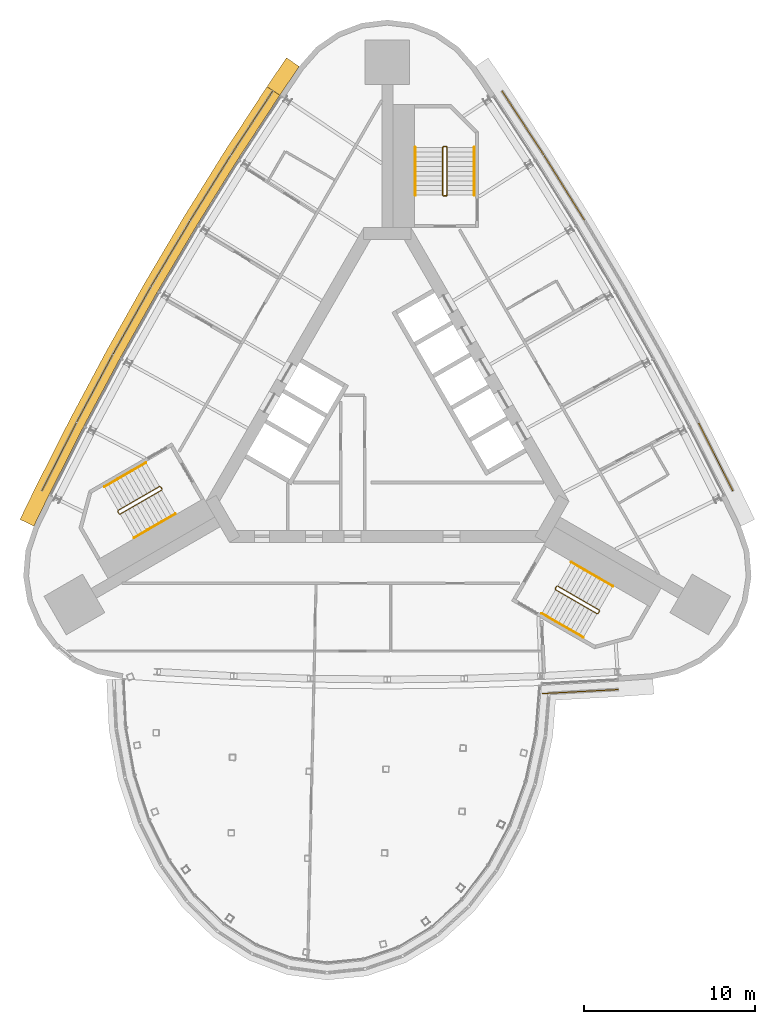
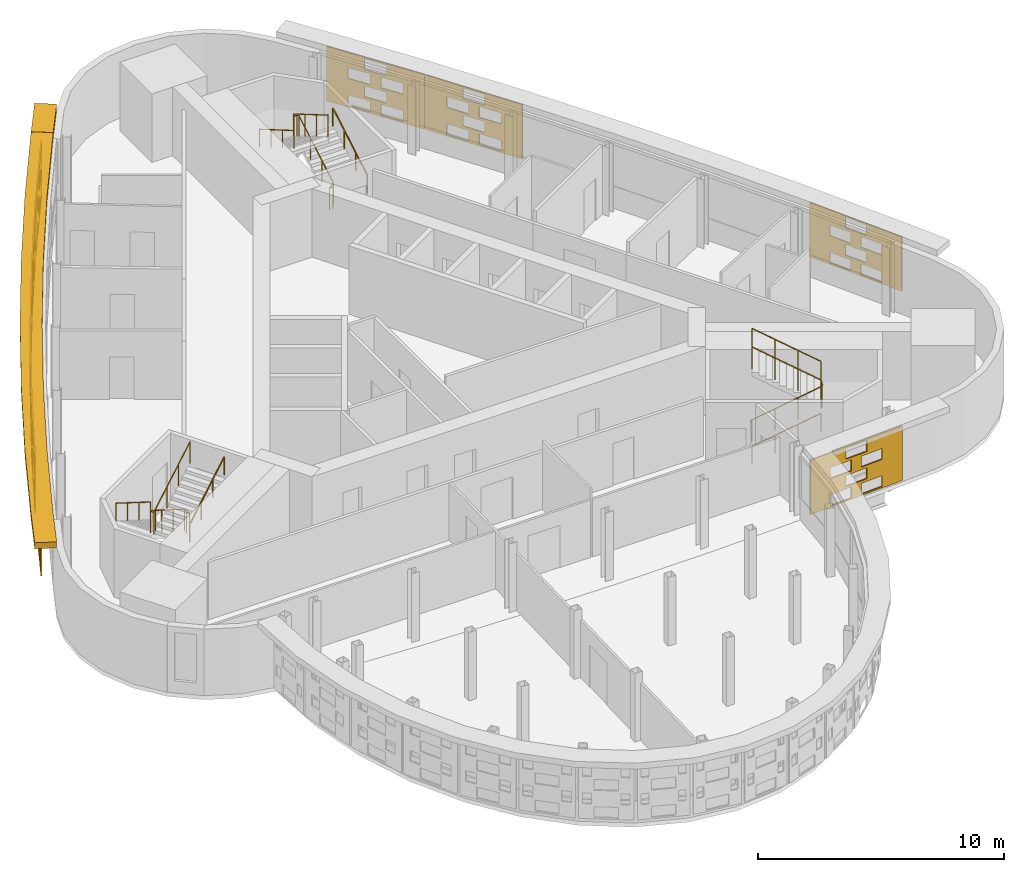
# One storey, part 13 of 14: 12 shading devices, 9 railings.
"""IFC4 building model written with IfcOpenShell, lengths in metres."""

from ifc_helpers import new_model, si_unit, direction, frame, origin, origin_2d, place, context, subcontext, project, spatial, polyline, circle, outline, extrude, material, material_profile, profile_set, type_object, element, save


model = new_model("IFC4")

# Units and contexts
model_context = context("Model", 3, precision=1e-05, world=origin(), true_north=direction((0.0, 1.0)))
body_context = subcontext(model_context, "Body", "Model", "MODEL_VIEW")
ifc_project = project(units=[si_unit("LENGTHUNIT", "METRE"), si_unit("AREAUNIT", "SQUARE_METRE"), si_unit("VOLUMEUNIT", "CUBIC_METRE"), si_unit("PLANEANGLEUNIT", "RADIAN"), si_unit("MASSUNIT", "GRAM", prefix="KILO")], contexts=[model_context])

# Site, building, storey
site_placement = place(None, origin())
site = spatial("IfcSite", under=ifc_project, at=site_placement, CompositionType="ELEMENT")
building_placement = place(site_placement, origin())
building = spatial("IfcBuilding", under=site, at=building_placement, Name="Noor Cloister Tower", CompositionType="ELEMENT")
storey_placement = place(building_placement, frame((0.0, 0.0, 214.800048828125)))
storey = spatial("IfcBuildingStorey", under=building, at=storey_placement, Name="L55", CompositionType="ELEMENT", Elevation=214.800048828125)

# Shading devices
ifc_material_1 = material(Name="Limestone", Category="masonry")
ifc_material_profile = material_profile(ifc_material_1, outline(polyline([(-2.22998046875, -1.35009765625), (2.22998046875, -1.35009765625), (2.22998046875, 1.35009765625), (-2.22998046875, 1.35009765625), (-2.22998046875, -1.35009765625)]), holes=[polyline([(-1.25, -1.282470703125), (-0.25, -1.282470703125), (-0.25, -0.742431640625), (-1.25, -0.742431640625), (-1.25, -1.282470703125)]), polyline([(0.25, -1.282470703125), (1.25, -1.282470703125), (1.25, -0.742431640625), (0.25, -0.742431640625), (0.25, -1.282470703125)]), polyline([(-0.5, -0.607421875), (0.5, -0.607421875), (0.5, -0.0673828125), (-0.5, -0.0673828125), (-0.5, -0.607421875)]), polyline([(-1.25, 0.0673828125), (-0.25, 0.0673828125), (-0.25, 0.607421875), (-1.25, 0.607421875), (-1.25, 0.0673828125)]), polyline([(0.25, 0.0673828125), (1.25, 0.0673828125), (1.25, 0.607421875), (0.25, 0.607421875), (0.25, 0.0673828125)]), polyline([(-0.5, 0.742431640625), (0.5, 0.742431640625), (0.5, 1.282470703125), (-0.5, 1.282470703125), (-0.5, 0.742431640625)])]), Name="Woven screen 35 percent open")
ifc_profile_set = profile_set([ifc_material_profile], Name="Limestone")
shading_device_type_1 = type_object("IfcShadingDeviceType", Name="SCREEN woven limestone 35 percent open", PredefinedType="USERDEFINED", material=ifc_profile_set)
shading_device_1_placement = place(storey_placement, frame((-7.889892578125, 17.56689453125, 1.849853515625), z_axis=(-0.837041537521, 0.547139346477, 0.0), x_axis=(-0.547139346477, -0.837041537521, 0.0)))
element("IfcShadingDevice", 1, at=shading_device_1_placement, inside=storey, type_object=shading_device_type_1, Name="SCREEN L55 1", ObjectType="SCREEN", PredefinedType="USERDEFINED", context=body_context, shape_type="SweptSolid", body=[
    extrude(outline(polyline([(-2.22998046875, -1.35009765625), (2.22998046875, -1.35009765625), (2.22998046875, 1.35009765625), (-2.22998046875, 1.35009765625), (-2.22998046875, -1.35009765625)]), holes=[polyline([(-1.25, -1.282470703125), (-0.25, -1.282470703125), (-0.25, -0.742431640625), (-1.25, -0.742431640625), (-1.25, -1.282470703125)]), polyline([(0.25, -1.282470703125), (1.25, -1.282470703125), (1.25, -0.742431640625), (0.25, -0.742431640625), (0.25, -1.282470703125)]), polyline([(-0.5, -0.607421875), (0.5, -0.607421875), (0.5, -0.0673828125), (-0.5, -0.0673828125), (-0.5, -0.607421875)]), polyline([(-1.25, 0.0673828125), (-0.25, 0.0673828125), (-0.25, 0.607421875), (-1.25, 0.607421875), (-1.25, 0.0673828125)]), polyline([(0.25, 0.0673828125), (1.25, 0.0673828125), (1.25, 0.607421875), (0.25, 0.607421875), (0.25, 0.0673828125)]), polyline([(-0.5, 0.742431640625), (0.5, 0.742431640625), (0.5, 1.282470703125), (-0.5, 1.282470703125), (-0.5, 0.742431640625)])]), origin(), (0.0, 0.0, 1.0), 0.059814453125),
])
for number, where, z_axis, x_axis, name in (
    (2, (-10.315185546875, 13.76513671875, 1.849853515625), (-0.849137590634, 0.528171707093, 0.0), (-0.528171707093, -0.849137590634, 0.0), "SCREEN L55 2"),
    (3, (-12.656005859375, 9.910400390625, 1.849853515625), (-0.858568146325, 0.512699461786, 0.0), (-0.512699461786, -0.858568146325, 0.0), "SCREEN L55 3"),
):
    element("IfcShadingDevice", number, at=place(storey_placement, frame(where, z_axis=z_axis, x_axis=x_axis)), inside=storey, type_object=shading_device_type_1, Name=name, ObjectType="SCREEN", PredefinedType="USERDEFINED", context=body_context, shape_type="SweptSolid", body=[
        extrude(outline(polyline([(-2.22998046875, -1.35009765625), (2.22998046875, -1.35009765625), (2.22998046875, 1.35009765625), (-2.22998046875, 1.35009765625), (-2.22998046875, -1.35009765625)]), holes=[polyline([(-1.25, -1.282470703125), (-0.25, -1.282470703125), (-0.25, -0.742431640625), (-1.25, -0.742431640625), (-1.25, -1.282470703125)]), polyline([(0.25, -1.282470703125), (1.25, -1.282470703125), (1.25, -0.742431640625), (0.25, -0.742431640625), (0.25, -1.282470703125)]), polyline([(-0.5, -0.607421875), (0.5, -0.607421875), (0.5, -0.0673828125), (-0.5, -0.0673828125), (-0.5, -0.607421875)]), polyline([(-1.25, 0.0673828125), (-0.25, 0.0673828125), (-0.25, 0.607421875), (-1.25, 0.607421875), (-1.25, 0.0673828125)]), polyline([(0.25, 0.0673828125), (1.25, 0.0673828125), (1.25, 0.607421875), (0.25, 0.607421875), (0.25, 0.0673828125)]), polyline([(-0.5, 0.742431640625), (0.5, 0.742431640625), (0.5, 1.282470703125), (-0.5, 1.282470703125), (-0.5, 0.742431640625)])]), origin(), (0.0, 0.0, 1.0), 0.06005859375),
    ])
for number, where, z_axis, x_axis, name in (
    (4, (-14.91064453125, 6.005126953125, 1.849853515625), (-0.872227864306, 0.489099736994, 0.0), (-0.489099736994, -0.872227864306, 0.0), "SCREEN L55 4"),
    (5, (-17.07861328125, 2.05078125, 1.849853515625), (-0.882692078165, 0.469951800875, 0.0), (-0.469951800875, -0.882692078165, 0.0), "SCREEN L55 5"),
):
    element("IfcShadingDevice", number, at=place(storey_placement, frame(where, z_axis=z_axis, x_axis=x_axis)), inside=storey, type_object=shading_device_type_1, Name=name, ObjectType="SCREEN", PredefinedType="USERDEFINED", context=body_context, shape_type="SweptSolid", body=[
        extrude(outline(polyline([(-2.22998046875, -1.35009765625), (2.22998046875, -1.35009765625), (2.22998046875, 1.35009765625), (-2.22998046875, 1.35009765625), (-2.22998046875, -1.35009765625)]), holes=[polyline([(-1.25, -1.282470703125), (-0.25, -1.282470703125), (-0.25, -0.742431640625), (-1.25, -0.742431640625), (-1.25, -1.282470703125)]), polyline([(0.25, -1.282470703125), (1.25, -1.282470703125), (1.25, -0.742431640625), (0.25, -0.742431640625), (0.25, -1.282470703125)]), polyline([(-0.5, -0.607421875), (0.5, -0.607421875), (0.5, -0.0673828125), (-0.5, -0.0673828125), (-0.5, -0.607421875)]), polyline([(-1.25, 0.0673828125), (-0.25, 0.0673828125), (-0.25, 0.607421875), (-1.25, 0.607421875), (-1.25, 0.0673828125)]), polyline([(0.25, 0.0673828125), (1.25, 0.0673828125), (1.25, 0.607421875), (0.25, 0.607421875), (0.25, 0.0673828125)]), polyline([(-0.5, 0.742431640625), (0.5, 0.742431640625), (0.5, 1.282470703125), (-0.5, 1.282470703125), (-0.5, 0.742431640625)])]), origin(), (0.0, 0.0, 1.0), 0.059814453125),
    ])
shading_device_2_placement = place(storey_placement, frame((-19.158203125, -1.95068359375, 1.849853515625), z_axis=(-0.89279802979, 0.450457187758, 0.0), x_axis=(-0.450457187758, -0.89279802979, 0.0)))
element("IfcShadingDevice", 6, at=shading_device_2_placement, inside=storey, type_object=shading_device_type_1, Name="SCREEN L55 6", ObjectType="SCREEN", PredefinedType="USERDEFINED", context=body_context, shape_type="SweptSolid", body=[
    extrude(outline(polyline([(-2.22998046875, -1.35009765625), (2.22998046875, -1.35009765625), (2.22998046875, 1.35009765625), (-2.22998046875, 1.35009765625), (-2.22998046875, -1.35009765625)]), holes=[polyline([(-1.25, -1.282470703125), (-0.25, -1.282470703125), (-0.25, -0.742431640625), (-1.25, -0.742431640625), (-1.25, -1.282470703125)]), polyline([(0.25, -1.282470703125), (1.25, -1.282470703125), (1.25, -0.742431640625), (0.25, -0.742431640625), (0.25, -1.282470703125)]), polyline([(-0.5, -0.607421875), (0.5, -0.607421875), (0.5, -0.0673828125), (-0.5, -0.0673828125), (-0.5, -0.607421875)]), polyline([(-1.25, 0.0673828125), (-0.25, 0.0673828125), (-0.25, 0.607421875), (-1.25, 0.607421875), (-1.25, 0.0673828125)]), polyline([(0.25, 0.0673828125), (1.25, 0.0673828125), (1.25, 0.607421875), (0.25, 0.607421875), (0.25, 0.0673828125)]), polyline([(-0.5, 0.742431640625), (0.5, 0.742431640625), (0.5, 1.282470703125), (-0.5, 1.282470703125), (-0.5, 0.742431640625)])]), origin(), (0.0, 0.0, 1.0), 0.06005859375),
])
shading_device_3_placement = place(storey_placement, frame((11.2685546875, -15.6162109375, 1.849853515625), z_axis=(0.052986685084, -0.998595218897, 0.0), x_axis=(0.998595218897, 0.052986685084, 0.0)))
element("IfcShadingDevice", 7, at=shading_device_3_placement, inside=storey, type_object=shading_device_type_1, Name="SCREEN L55 19", ObjectType="SCREEN", PredefinedType="USERDEFINED", context=body_context, shape_type="SweptSolid", body=[
    extrude(outline(polyline([(-2.22998046875, -1.35009765625), (2.22998046875, -1.35009765625), (2.22998046875, 1.35009765625), (-2.22998046875, 1.35009765625), (-2.22998046875, -1.35009765625)]), holes=[polyline([(-1.25, -1.282470703125), (-0.25, -1.282470703125), (-0.25, -0.742431640625), (-1.25, -0.742431640625), (-1.25, -1.282470703125)]), polyline([(0.25, -1.282470703125), (1.25, -1.282470703125), (1.25, -0.742431640625), (0.25, -0.742431640625), (0.25, -1.282470703125)]), polyline([(-0.5, -0.607421875), (0.5, -0.607421875), (0.5, -0.0673828125), (-0.5, -0.0673828125), (-0.5, -0.607421875)]), polyline([(-1.25, 0.0673828125), (-0.25, 0.0673828125), (-0.25, 0.607421875), (-1.25, 0.607421875), (-1.25, 0.0673828125)]), polyline([(0.25, 0.0673828125), (1.25, 0.0673828125), (1.25, 0.607421875), (0.25, 0.607421875), (0.25, 0.0673828125)]), polyline([(-0.5, 0.742431640625), (0.5, 0.742431640625), (0.5, 1.282470703125), (-0.5, 1.282470703125), (-0.5, 0.742431640625)])]), origin(), (0.0, 0.0, 1.0), 0.059814453125),
])
for number, where, z_axis, x_axis, name in (
    (8, (19.158203125, -1.95068359375, 1.849853515625), (0.89279802979, 0.450457187758, 0.0), (-0.450457187758, 0.89279802979, 0.0), "SCREEN L55 1"),
    (9, (10.315185546875, 13.76513671875, 1.849853515625), (0.849137590634, 0.528171707093, 0.0), (-0.528171707093, 0.849137590634, 0.0), "SCREEN L55 5"),
):
    element("IfcShadingDevice", number, at=place(storey_placement, frame(where, z_axis=z_axis, x_axis=x_axis)), inside=storey, type_object=shading_device_type_1, Name=name, ObjectType="SCREEN", PredefinedType="USERDEFINED", context=body_context, shape_type="SweptSolid", body=[
        extrude(outline(polyline([(-2.22998046875, -1.35009765625), (2.22998046875, -1.35009765625), (2.22998046875, 1.35009765625), (-2.22998046875, 1.35009765625), (-2.22998046875, -1.35009765625)]), holes=[polyline([(-1.25, -1.282470703125), (-0.25, -1.282470703125), (-0.25, -0.742431640625), (-1.25, -0.742431640625), (-1.25, -1.282470703125)]), polyline([(0.25, -1.282470703125), (1.25, -1.282470703125), (1.25, -0.742431640625), (0.25, -0.742431640625), (0.25, -1.282470703125)]), polyline([(-0.5, -0.607421875), (0.5, -0.607421875), (0.5, -0.0673828125), (-0.5, -0.0673828125), (-0.5, -0.607421875)]), polyline([(-1.25, 0.0673828125), (-0.25, 0.0673828125), (-0.25, 0.607421875), (-1.25, 0.607421875), (-1.25, 0.0673828125)]), polyline([(0.25, 0.0673828125), (1.25, 0.0673828125), (1.25, 0.607421875), (0.25, 0.607421875), (0.25, 0.0673828125)]), polyline([(-0.5, 0.742431640625), (0.5, 0.742431640625), (0.5, 1.282470703125), (-0.5, 1.282470703125), (-0.5, 0.742431640625)])]), origin(), (0.0, 0.0, 1.0), 0.06005859375),
    ])
shading_device_4_placement = place(storey_placement, frame((7.889892578125, 17.56689453125, 1.849853515625), z_axis=(0.837041537521, 0.547139346477, 0.0), x_axis=(-0.547139346477, 0.837041537521, 0.0)))
element("IfcShadingDevice", 10, at=shading_device_4_placement, inside=storey, type_object=shading_device_type_1, Name="SCREEN L55 6", ObjectType="SCREEN", PredefinedType="USERDEFINED", context=body_context, shape_type="SweptSolid", body=[
    extrude(outline(polyline([(-2.22998046875, -1.35009765625), (2.22998046875, -1.35009765625), (2.22998046875, 1.35009765625), (-2.22998046875, 1.35009765625), (-2.22998046875, -1.35009765625)]), holes=[polyline([(-1.25, -1.282470703125), (-0.25, -1.282470703125), (-0.25, -0.742431640625), (-1.25, -0.742431640625), (-1.25, -1.282470703125)]), polyline([(0.25, -1.282470703125), (1.25, -1.282470703125), (1.25, -0.742431640625), (0.25, -0.742431640625), (0.25, -1.282470703125)]), polyline([(-0.5, -0.607421875), (0.5, -0.607421875), (0.5, -0.0673828125), (-0.5, -0.0673828125), (-0.5, -0.607421875)]), polyline([(-1.25, 0.0673828125), (-0.25, 0.0673828125), (-0.25, 0.607421875), (-1.25, 0.607421875), (-1.25, 0.0673828125)]), polyline([(0.25, 0.0673828125), (1.25, 0.0673828125), (1.25, 0.607421875), (0.25, 0.607421875), (0.25, 0.0673828125)]), polyline([(-0.5, 0.742431640625), (0.5, 0.742431640625), (0.5, 1.282470703125), (-0.5, 1.282470703125), (-0.5, 0.742431640625)])]), origin(), (0.0, 0.0, 1.0), 0.059814453125),
])
ifc_material_2 = material(Name="Limestone", Category="masonry")
shading_device_type_2 = type_object("IfcShadingDeviceType", Name="SUNSHADE limestone band 900", PredefinedType="USERDEFINED", material=ifc_material_2)
shading_device_5_placement = place(storey_placement, frame((0.0, 0.0, 3.300048828125)))
element("IfcShadingDevice", 11, at=shading_device_5_placement, inside=storey, type_object=shading_device_type_2, Name="SUNSHADE L55 1", ObjectType="SUNSHADE", PredefinedType="USERDEFINED", context=body_context, shape_type="SweptSolid", body=[
    extrude(outline(polyline([(-7.035400390625, 19.6962890625), (-9.5029296875, 15.92138671875), (-11.8916015625, 12.084228515625), (-14.194580078125, 8.1953125), (-16.4111328125, 4.256103515625), (-18.539794921875, 0.26904296875), (-20.57861328125, -3.76171875), (-21.46533203125, -5.587158203125), (-20.65576171875, -5.98046875), (-19.772216796875, -4.16162109375), (-17.7412109375, -0.14599609375), (-15.621826171875, 3.823486328125), (-13.415283203125, 7.745361328125), (-11.122314453125, 11.6171875), (-8.744140625, 15.437255859375), (-6.2822265625, 19.2041015625), (-7.035400390625, 19.6962890625)])), origin(), (0.0, 0.0, 1.0), 0.2998046875),
])
shading_device_6_placement = place(storey_placement, frame((0.0, 0.0, 3.300048828125)))
element("IfcShadingDevice", 12, at=shading_device_6_placement, inside=storey, type_object=shading_device_type_2, Name="SUNSHADE L55 4", ObjectType="SUNSHADE", PredefinedType="USERDEFINED", context=body_context, shape_type="SweptSolid", body=[
    extrude(outline(polyline([(-5.89404296875, 21.38330078125), (-7.02734375, 19.70849609375), (-6.2822265625, 19.2041015625), (-5.148681640625, 20.87890625), (-5.89404296875, 21.38330078125)])), origin(), (0.0, 0.0, 1.0), 0.2998046875),
])

# Railings
ifc_material_3 = material(Name="Stainless steel", Category="steel")
railing_type_1 = type_object("IfcRailingType", Name="Stair guard 1100", PredefinedType="GUARDRAIL", material=ifc_material_3)
railing_1_placement = place(storey_placement, frame((3.435546875, 13.306396484375, 0.0)))
element("IfcRailing", 13, at=railing_1_placement, inside=storey, type_object=railing_type_1, Name="Stair guard ST1 L55", PredefinedType="GUARDRAIL", context=body_context, shape_type="SweptSolid", body=[
    extrude(circle(Radius=0.02392578125, at=origin_2d()), frame((0.0, 0.0, 1.076171875), z_axis=(-1.0, 0.0, 0.0), x_axis=(0.0, -1.0, 0.0)), (0.0, 0.0, 1.0), 0.14990234375),
    extrude(circle(Radius=0.02392578125, at=origin_2d()), frame((-0.14990234375, 0.0, 1.076171875), z_axis=(0.759870394187, 0.190199549216, 0.621627795), x_axis=(-0.242814311512, 0.970072785993, 0.0)), (0.0, 0.0, 1.0), 0.26318359375),
    extrude(circle(Radius=0.02392578125, at=origin_2d()), frame((0.050048828125, 0.050048828125, 1.23974609375), z_axis=(0.0, 0.863360870873, 0.504586966384), x_axis=(-1.0, 0.0, 0.0)), (0.0, 0.0, 1.0), 3.2431640625),
    extrude(circle(Radius=0.02392578125, at=origin_2d()), frame((0.050048828125, 2.85009765625, 2.8759765625), z_axis=(-0.708833529934, 0.705375805398, 0.0), x_axis=(-0.705375805398, -0.708833529934, 0.0)), (0.0, 0.0, 1.0), 0.070556640625),
    extrude(circle(Radius=0.02392578125, at=origin_2d()), frame((0.0, 2.89990234375, 2.8759765625), z_axis=(-1.0, 0.0, 0.0), x_axis=(0.0, -1.0, 0.0)), (0.0, 0.0, 1.0), 0.14990234375),
    extrude(circle(Radius=0.02392578125, at=origin_2d()), frame((-0.14990234375, 2.89990234375, 2.8759765625), z_axis=(-0.280916556609, -0.279546231943, 0.91811752648), x_axis=(0.705375805398, -0.708833529934, 0.0)), (0.0, 0.0, 1.0), 0.17822265625),
    extrude(circle(Radius=0.02392578125, at=origin_2d()), frame((-0.199951171875, 2.85009765625, 3.03955078125), z_axis=(0.0, -0.863393664356, 0.504530851732), x_axis=(1.0, 0.0, 0.0)), (0.0, 0.0, 1.0), 3.2431640625),
    extrude(circle(Radius=0.02099609375, at=origin_2d()), origin(), (0.0, 0.0, 1.0), 1.052001953125),
    extrude(circle(Radius=0.02099609375, at=origin_2d()), frame((-0.14990234375, 0.0, 0.0)), (0.0, 0.0, 1.0), 1.052001953125),
    extrude(circle(Radius=0.02099609375, at=origin_2d()), frame((0.050048828125, 0.050048828125, 0.16357421875)), (0.0, 0.0, 1.0), 1.052001953125),
    extrude(circle(Radius=0.02099609375, at=origin_2d()), frame((0.050048828125, 0.9833984375, 0.708984375)), (0.0, 0.0, 1.0), 1.052001953125),
    extrude(circle(Radius=0.02099609375, at=origin_2d()), frame((0.050048828125, 1.916748046875, 1.254638671875)), (0.0, 0.0, 1.0), 1.052001953125),
    extrude(circle(Radius=0.02099609375, at=origin_2d()), frame((0.050048828125, 2.85009765625, 1.800048828125)), (0.0, 0.0, 1.0), 1.052001953125),
    extrude(circle(Radius=0.02099609375, at=origin_2d()), frame((0.0, 2.89990234375, 1.800048828125)), (0.0, 0.0, 1.0), 1.052001953125),
    extrude(circle(Radius=0.02099609375, at=origin_2d()), frame((-0.14990234375, 2.89990234375, 1.800048828125)), (0.0, 0.0, 1.0), 1.052001953125),
    extrude(circle(Radius=0.02099609375, at=origin_2d()), frame((-0.199951171875, 2.85009765625, 1.963623046875)), (0.0, 0.0, 1.0), 1.052001953125),
    extrude(circle(Radius=0.02099609375, at=origin_2d()), frame((-0.199951171875, 1.916748046875, 2.509033203125)), (0.0, 0.0, 1.0), 1.052001953125),
    extrude(circle(Radius=0.02099609375, at=origin_2d()), frame((-0.199951171875, 0.9833984375, 3.054443359375)), (0.0, 0.0, 1.0), 1.052001953125),
    extrude(circle(Radius=0.02099609375, at=origin_2d()), frame((-0.199951171875, 0.050048828125, 3.599853515625)), (0.0, 0.0, 1.0), 1.052001953125),
])
railing_2_placement = place(storey_placement, frame((-13.241455078125, -3.677734375, 0.0)))
element("IfcRailing", 14, at=railing_2_placement, inside=storey, type_object=railing_type_1, Name="Stair guard ST2 L55", PredefinedType="GUARDRAIL", context=body_context, shape_type="SweptSolid", body=[
    extrude(circle(Radius=0.02392578125, at=origin_2d()), frame((0.0, 0.0, 1.076171875), z_axis=(0.499112439033, -0.866537231285, 0.0), x_axis=(0.866537231285, 0.499112439033, 0.0)), (0.0, 0.0, 1.0), 0.150146484375),
    extrude(circle(Radius=0.02392578125, at=origin_2d()), frame((0.074951171875, -0.130126953125, 1.076171875), z_axis=(-0.544565797804, 0.563119998752, 0.621565731736), x_axis=(-0.718850276695, -0.695164929852, 0.0)), (0.0, 0.0, 1.0), 0.26318359375),
    extrude(circle(Radius=0.02392578125, at=origin_2d()), frame((-0.068359375, 0.01806640625, 1.23974609375), z_axis=(-0.747689811644, -0.431660630283, 0.504607813879), x_axis=(0.49998411664, -0.866034573852, 0.0)), (0.0, 0.0, 1.0), 3.2431640625),
    extrude(circle(Radius=0.02392578125, at=origin_2d()), frame((-2.4931640625, -1.3818359375, 2.8759765625), z_axis=(-0.258736085224, -0.965948051503, 0.0), x_axis=(0.965948051503, -0.258736085224, 0.0)), (0.0, 0.0, 1.0), 0.07080078125),
    extrude(circle(Radius=0.02392578125, at=origin_2d()), frame((-2.511474609375, -1.4501953125, 2.8759765625), z_axis=(0.499816412211, -0.866131372301, 0.0), x_axis=(0.866131372301, 0.499816412211, 0.0)), (0.0, 0.0, 1.0), 0.14990234375),
    extrude(circle(Radius=0.02392578125, at=origin_2d()), frame((-2.4365234375, -1.580078125, 2.8759765625), z_axis=(0.383552647116, -0.102737316192, 0.917786691313), x_axis=(0.258736085224, 0.965948051503, 0.0)), (0.0, 0.0, 1.0), 0.17822265625),
    extrude(circle(Radius=0.02392578125, at=origin_2d()), frame((-2.3681640625, -1.598388671875, 3.03955078125), z_axis=(0.747693913401, 0.431738279637, 0.504535300807), x_axis=(-0.500049511043, 0.865996816683, 0.0)), (0.0, 0.0, 1.0), 3.2431640625),
    extrude(circle(Radius=0.02099609375, at=origin_2d()), origin(), (0.0, 0.0, 1.0), 1.052001953125),
    extrude(circle(Radius=0.02099609375, at=origin_2d()), frame((0.074951171875, -0.130126953125, 0.0)), (0.0, 0.0, 1.0), 1.052001953125),
    extrude(circle(Radius=0.02099609375, at=origin_2d()), frame((-0.068359375, 0.01806640625, 0.16357421875)), (0.0, 0.0, 1.0), 1.052001953125),
    extrude(circle(Radius=0.02099609375, at=origin_2d()), frame((-0.876708984375, -0.448486328125, 0.708984375)), (0.0, 0.0, 1.0), 1.052001953125),
    extrude(circle(Radius=0.02099609375, at=origin_2d()), frame((-1.684814453125, -0.915283203125, 1.254638671875)), (0.0, 0.0, 1.0), 1.052001953125),
    extrude(circle(Radius=0.02099609375, at=origin_2d()), frame((-2.4931640625, -1.3818359375, 1.800048828125)), (0.0, 0.0, 1.0), 1.052001953125),
    extrude(circle(Radius=0.02099609375, at=origin_2d()), frame((-2.511474609375, -1.4501953125, 1.800048828125)), (0.0, 0.0, 1.0), 1.052001953125),
    extrude(circle(Radius=0.02099609375, at=origin_2d()), frame((-2.4365234375, -1.580078125, 1.800048828125)), (0.0, 0.0, 1.0), 1.052001953125),
    extrude(circle(Radius=0.02099609375, at=origin_2d()), frame((-2.3681640625, -1.598388671875, 1.963623046875)), (0.0, 0.0, 1.0), 1.052001953125),
    extrude(circle(Radius=0.02099609375, at=origin_2d()), frame((-1.559814453125, -1.131591796875, 2.509033203125)), (0.0, 0.0, 1.0), 1.052001953125),
    extrude(circle(Radius=0.02099609375, at=origin_2d()), frame((-0.751708984375, -0.6650390625, 3.054443359375)), (0.0, 0.0, 1.0), 1.052001953125),
    extrude(circle(Radius=0.02099609375, at=origin_2d()), frame((0.056640625, -0.1982421875, 3.599853515625)), (0.0, 0.0, 1.0), 1.052001953125),
])
railing_3_placement = place(storey_placement, frame((9.805908203125, -9.628662109375, 0.0)))
element("IfcRailing", 15, at=railing_3_placement, inside=storey, type_object=railing_type_1, Name="Stair guard ST3 L55", PredefinedType="GUARDRAIL", context=body_context, shape_type="SweptSolid", body=[
    extrude(circle(Radius=0.02392578125, at=origin_2d()), frame((0.0, 0.0, 1.076171875), z_axis=(0.499112439033, 0.866537231285, 0.0), x_axis=(-0.866537231285, 0.499112439033, 0.0)), (0.0, 0.0, 1.0), 0.150146484375),
    extrude(circle(Radius=0.02392578125, at=origin_2d()), frame((0.074951171875, 0.130126953125, 1.076171875), z_axis=(-0.215214839654, -0.753251938789, 0.621525614518), x_axis=(0.961523947641, -0.274721127897, 0.0)), (0.0, 0.0, 1.0), 0.26318359375),
    extrude(circle(Radius=0.02392578125, at=origin_2d()), frame((0.018310546875, -0.068115234375, 1.23974609375), z_axis=(0.747665513933, -0.431721881032, 0.504591415616), x_axis=(0.500049511043, 0.865996816683, 0.0)), (0.0, 0.0, 1.0), 3.2431640625),
    extrude(circle(Radius=0.02392578125, at=origin_2d()), frame((2.443115234375, -1.46826171875, 2.8759765625), z_axis=(0.965948051503, 0.258736085224, 0.0), x_axis=(-0.258736085224, 0.965948051503, 0.0)), (0.0, 0.0, 1.0), 0.07080078125),
    extrude(circle(Radius=0.02392578125, at=origin_2d()), frame((2.511474609375, -1.449951171875, 2.8759765625), z_axis=(0.499816412211, 0.866131372301, 0.0), x_axis=(-0.866131372301, 0.499816412211, 0.0)), (0.0, 0.0, 1.0), 0.14990234375),
    extrude(circle(Radius=0.02392578125, at=origin_2d()), frame((2.58642578125, -1.320068359375, 2.8759765625), z_axis=(-0.102737316192, 0.383552647116, 0.917786691313), x_axis=(-0.965948051503, -0.258736085224, 0.0)), (0.0, 0.0, 1.0), 0.17822265625),
    extrude(circle(Radius=0.02392578125, at=origin_2d()), frame((2.568115234375, -1.251708984375, 3.03955078125), z_axis=(-0.74771821388, 0.431677027627, 0.504551698492), x_axis=(-0.49998411664, -0.866034573852, 0.0)), (0.0, 0.0, 1.0), 3.242919921875),
    extrude(circle(Radius=0.02099609375, at=origin_2d()), origin(), (0.0, 0.0, 1.0), 1.052001953125),
    extrude(circle(Radius=0.02099609375, at=origin_2d()), frame((0.074951171875, 0.130126953125, 0.0)), (0.0, 0.0, 1.0), 1.052001953125),
    extrude(circle(Radius=0.02099609375, at=origin_2d()), frame((0.018310546875, -0.068115234375, 0.16357421875)), (0.0, 0.0, 1.0), 1.052001953125),
    extrude(circle(Radius=0.02099609375, at=origin_2d()), frame((0.82666015625, -0.534912109375, 0.708984375)), (0.0, 0.0, 1.0), 1.052001953125),
    extrude(circle(Radius=0.02099609375, at=origin_2d()), frame((1.634765625, -1.00146484375, 1.254638671875)), (0.0, 0.0, 1.0), 1.052001953125),
    extrude(circle(Radius=0.02099609375, at=origin_2d()), frame((2.443115234375, -1.46826171875, 1.800048828125)), (0.0, 0.0, 1.0), 1.052001953125),
    extrude(circle(Radius=0.02099609375, at=origin_2d()), frame((2.511474609375, -1.449951171875, 1.800048828125)), (0.0, 0.0, 1.0), 1.052001953125),
    extrude(circle(Radius=0.02099609375, at=origin_2d()), frame((2.58642578125, -1.320068359375, 1.800048828125)), (0.0, 0.0, 1.0), 1.052001953125),
    extrude(circle(Radius=0.02099609375, at=origin_2d()), frame((2.568115234375, -1.251708984375, 1.963623046875)), (0.0, 0.0, 1.0), 1.052001953125),
    extrude(circle(Radius=0.02099609375, at=origin_2d()), frame((1.759765625, -0.78515625, 2.509033203125)), (0.0, 0.0, 1.0), 1.052001953125),
    extrude(circle(Radius=0.02099609375, at=origin_2d()), frame((0.95166015625, -0.318359375, 3.054443359375)), (0.0, 0.0, 1.0), 1.052001953125),
    extrude(circle(Radius=0.02099609375, at=origin_2d()), frame((0.143310546875, 0.148193359375, 3.599853515625)), (0.0, 0.0, 1.0), 1.052001953125),
])
ifc_material_4 = material(Name="Stainless steel", Category="steel")
railing_type_2 = type_object("IfcRailingType", Name="Stair handrail 900", PredefinedType="HANDRAIL", material=ifc_material_4)
railing_4_placement = place(storey_placement, frame((5.085693359375, 13.3564453125, 0.16357421875)))
element("IfcRailing", 16, at=railing_4_placement, inside=storey, type_object=railing_type_2, Name="Stair handrail ST1 L55 1", PredefinedType="HANDRAIL", context=body_context, shape_type="SweptSolid", body=[
    extrude(circle(Radius=0.02392578125, at=origin_2d()), frame((0.0, 0.0, 0.8759765625), z_axis=(0.0, 0.863360870873, 0.504586966384), x_axis=(-1.0, 0.0, 0.0)), (0.0, 0.0, 1.0), 3.2431640625),
    extrude(circle(Radius=0.02099609375, at=origin_2d()), origin(), (0.0, 0.0, 1.0), 0.851806640625),
    extrude(circle(Radius=0.02099609375, at=origin_2d()), frame((0.0, 0.933349609375, 0.54541015625)), (0.0, 0.0, 1.0), 0.851806640625),
    extrude(circle(Radius=0.02099609375, at=origin_2d()), frame((0.0, 1.86669921875, 1.091064453125)), (0.0, 0.0, 1.0), 0.851806640625),
    extrude(circle(Radius=0.02099609375, at=origin_2d()), frame((0.0, 2.800048828125, 1.636474609375)), (0.0, 0.0, 1.0), 0.851806640625),
])
railing_5_placement = place(storey_placement, frame((1.6357421875, 16.156494140625, 1.963623046875)))
element("IfcRailing", 17, at=railing_5_placement, inside=storey, type_object=railing_type_2, Name="Stair handrail ST1 L55 2", PredefinedType="HANDRAIL", context=body_context, shape_type="SweptSolid", body=[
    extrude(circle(Radius=0.02392578125, at=origin_2d()), frame((0.0, 0.0, 0.8759765625), z_axis=(0.0, -0.863393664356, 0.504530851732), x_axis=(1.0, 0.0, 0.0)), (0.0, 0.0, 1.0), 3.2431640625),
    extrude(circle(Radius=0.02099609375, at=origin_2d()), origin(), (0.0, 0.0, 1.0), 0.851806640625),
    extrude(circle(Radius=0.02099609375, at=origin_2d()), frame((0.0, -0.933349609375, 0.54541015625)), (0.0, 0.0, 1.0), 0.851806640625),
    extrude(circle(Radius=0.02099609375, at=origin_2d()), frame((0.0, -1.86669921875, 1.0908203125)), (0.0, 0.0, 1.0), 0.851806640625),
    extrude(circle(Radius=0.02099609375, at=origin_2d()), frame((0.0, -2.800048828125, 1.63623046875)), (0.0, 0.0, 1.0), 0.851806640625),
])
railing_6_placement = place(storey_placement, frame((-14.10986328125, -2.27392578125, 0.16357421875)))
element("IfcRailing", 18, at=railing_6_placement, inside=storey, type_object=railing_type_2, Name="Stair handrail ST2 L55 1", PredefinedType="HANDRAIL", context=body_context, shape_type="SweptSolid", body=[
    extrude(circle(Radius=0.02392578125, at=origin_2d()), frame((0.0, 0.0, 0.8759765625), z_axis=(-0.747689811644, -0.431660630283, 0.504607813879), x_axis=(0.49998411664, -0.866034573852, 0.0)), (0.0, 0.0, 1.0), 3.2431640625),
    extrude(circle(Radius=0.02099609375, at=origin_2d()), origin(), (0.0, 0.0, 1.0), 0.851806640625),
    extrude(circle(Radius=0.02099609375, at=origin_2d()), frame((-0.808349609375, -0.466552734375, 0.54541015625)), (0.0, 0.0, 1.0), 0.851806640625),
    extrude(circle(Radius=0.02099609375, at=origin_2d()), frame((-1.616455078125, -0.933349609375, 1.091064453125)), (0.0, 0.0, 1.0), 0.851806640625),
    extrude(circle(Radius=0.02099609375, at=origin_2d()), frame((-2.4248046875, -1.39990234375, 1.636474609375)), (0.0, 0.0, 1.0), 0.851806640625),
])
railing_7_placement = place(storey_placement, frame((-14.8095703125, -6.66162109375, 1.963623046875)))
element("IfcRailing", 19, at=railing_7_placement, inside=storey, type_object=railing_type_2, Name="Stair handrail ST2 L55 2", PredefinedType="HANDRAIL", context=body_context, shape_type="SweptSolid", body=[
    extrude(circle(Radius=0.02392578125, at=origin_2d()), frame((0.0, 0.0, 0.8759765625), z_axis=(0.74771821388, 0.431677027627, 0.504551698492), x_axis=(-0.49998411664, 0.866034573852, 0.0)), (0.0, 0.0, 1.0), 3.242919921875),
    extrude(circle(Radius=0.02099609375, at=origin_2d()), origin(), (0.0, 0.0, 1.0), 0.851806640625),
    extrude(circle(Radius=0.02099609375, at=origin_2d()), frame((0.808349609375, 0.466552734375, 0.54541015625)), (0.0, 0.0, 1.0), 0.851806640625),
    extrude(circle(Radius=0.02099609375, at=origin_2d()), frame((1.616455078125, 0.933349609375, 1.0908203125)), (0.0, 0.0, 1.0), 0.851806640625),
    extrude(circle(Radius=0.02099609375, at=origin_2d()), frame((2.4248046875, 1.39990234375, 1.63623046875)), (0.0, 0.0, 1.0), 0.851806640625),
])
railing_8_placement = place(storey_placement, frame((9.024169921875, -11.08251953125, 0.16357421875)))
element("IfcRailing", 20, at=railing_8_placement, inside=storey, type_object=railing_type_2, Name="Stair handrail ST3 L55 1", PredefinedType="HANDRAIL", context=body_context, shape_type="SweptSolid", body=[
    extrude(circle(Radius=0.02392578125, at=origin_2d()), frame((0.0, 0.0, 0.8759765625), z_axis=(0.747689811644, -0.431660630283, 0.504607813879), x_axis=(0.49998411664, 0.866034573852, 0.0)), (0.0, 0.0, 1.0), 3.2431640625),
    extrude(circle(Radius=0.02099609375, at=origin_2d()), origin(), (0.0, 0.0, 1.0), 0.851806640625),
    extrude(circle(Radius=0.02099609375, at=origin_2d()), frame((0.808349609375, -0.466552734375, 0.54541015625)), (0.0, 0.0, 1.0), 0.851806640625),
    extrude(circle(Radius=0.02099609375, at=origin_2d()), frame((1.616455078125, -0.933349609375, 1.091064453125)), (0.0, 0.0, 1.0), 0.851806640625),
    extrude(circle(Radius=0.02099609375, at=origin_2d()), frame((2.4248046875, -1.39990234375, 1.636474609375)), (0.0, 0.0, 1.0), 0.851806640625),
])
railing_9_placement = place(storey_placement, frame((13.174072265625, -9.49462890625, 1.963623046875)))
element("IfcRailing", 21, at=railing_9_placement, inside=storey, type_object=railing_type_2, Name="Stair handrail ST3 L55 2", PredefinedType="HANDRAIL", context=body_context, shape_type="SweptSolid", body=[
    extrude(circle(Radius=0.02392578125, at=origin_2d()), frame((0.0, 0.0, 0.8759765625), z_axis=(-0.74771821388, 0.431677027627, 0.504551698492), x_axis=(-0.49998411664, -0.866034573852, 0.0)), (0.0, 0.0, 1.0), 3.242919921875),
    extrude(circle(Radius=0.02099609375, at=origin_2d()), origin(), (0.0, 0.0, 1.0), 0.851806640625),
    extrude(circle(Radius=0.02099609375, at=origin_2d()), frame((-0.808349609375, 0.466552734375, 0.54541015625)), (0.0, 0.0, 1.0), 0.851806640625),
    extrude(circle(Radius=0.02099609375, at=origin_2d()), frame((-1.616455078125, 0.933349609375, 1.0908203125)), (0.0, 0.0, 1.0), 0.851806640625),
    extrude(circle(Radius=0.02099609375, at=origin_2d()), frame((-2.4248046875, 1.39990234375, 1.63623046875)), (0.0, 0.0, 1.0), 0.851806640625),
])

save(model, "model.ifc")
